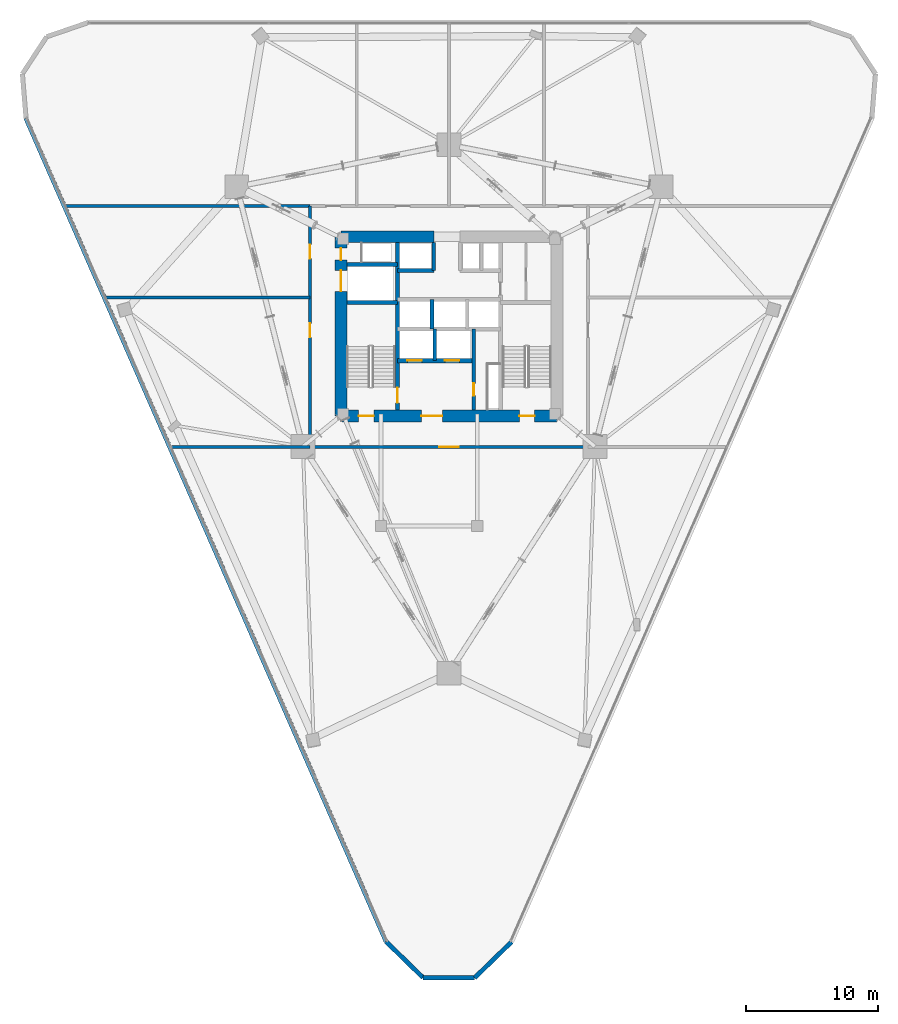
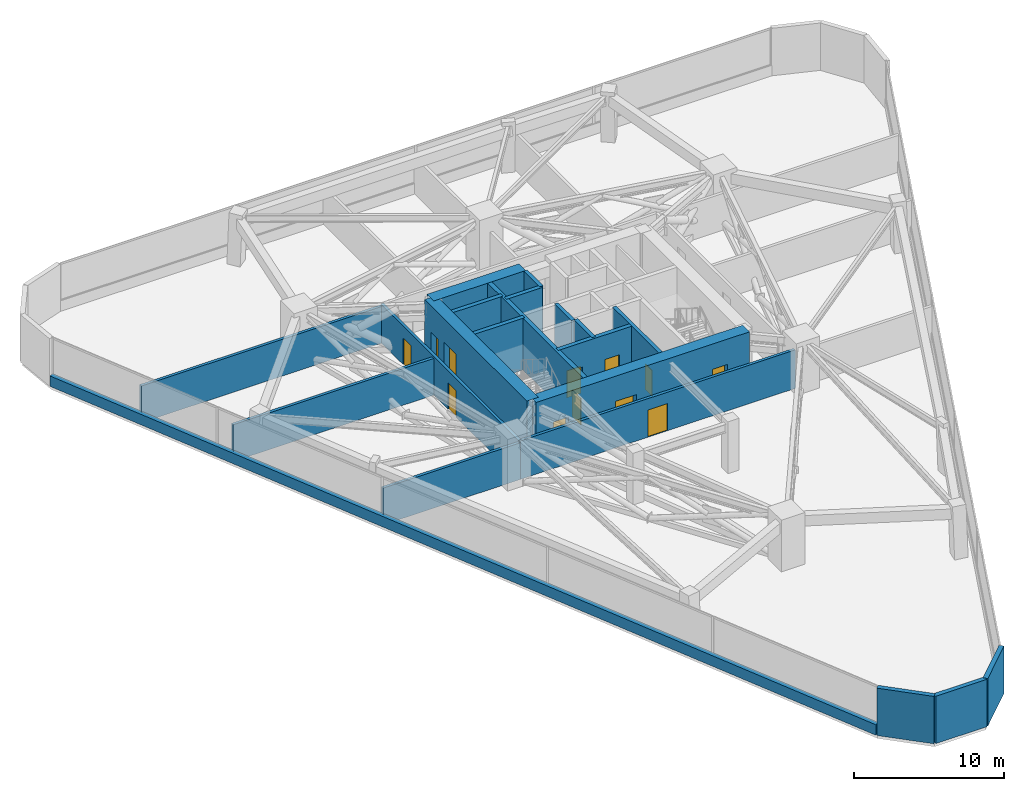
# One storey, part 17 of 20: 21 walls, 12 doors, 12 openings.
"""IFC4 building model written with IfcOpenShell, lengths in metres."""

from ifc_helpers import new_model, si_unit, direction, frame, frame_2d, origin, place, context, subcontext, project, spatial, rectangle, extrude, material, layer, layer_set, type_object, element, fill, save


model = new_model("IFC4")

# Units and contexts
model_context = context("Model", 3, precision=1e-05, world=origin(), true_north=direction((0.0, 1.0)))
body_context = subcontext(model_context, "Body", "Model", "MODEL_VIEW")
ifc_project = project(units=[si_unit("LENGTHUNIT", "METRE"), si_unit("AREAUNIT", "SQUARE_METRE"), si_unit("VOLUMEUNIT", "CUBIC_METRE"), si_unit("PLANEANGLEUNIT", "RADIAN"), si_unit("MASSUNIT", "GRAM", prefix="KILO")], contexts=[model_context])

# Site, building, storey
site_placement = place(None, origin())
site = spatial("IfcSite", under=ifc_project, at=site_placement, CompositionType="ELEMENT")
building_placement = place(site_placement, origin())
building = spatial("IfcBuilding", under=site, at=building_placement, Name="Talyreon Biosciences Tower", CompositionType="ELEMENT")
storey_placement = place(building_placement, frame((0.0, 0.0, 66.60009765625)))
storey = spatial("IfcBuildingStorey", under=building, at=storey_placement, Name="L17", CompositionType="ELEMENT", Elevation=66.60009765625)

# Walls
ifc_material_1 = material(Name="Concrete C50/60", Category="concrete")
ifc_layer_1 = layer(ifc_material_1, 0.280029296875)
ifc_layer_set_1 = layer_set([ifc_layer_1], Name="Concrete C50/60")
wall_type_1 = type_object("IfcWallType", Name="CoreShearWall_280", PredefinedType="SHEAR", material=ifc_layer_set_1)
wall_1_placement = place(storey_placement, frame((64.919921875, 65.39990234375, 0.0), z_axis=(0.0, 0.0, 1.0), x_axis=(0.0, 1.0, 0.0)))
element("IfcWall", 1, at=wall_1_placement, inside=storey, type_object=wall_type_1, Name="L17 Core Shaft Wall SWSHD1", PredefinedType="SHEAR", context=body_context, shape_type="SweptSolid", body=[
    extrude(rectangle(XDim=2.400146484375, YDim=0.280029296875, at=frame_2d((1.2001953125, 0.0))), origin(), (0.0, 0.0, 1.0), 4.199951171875),
])
wall_2_placement = place(storey_placement, frame((64.85009765625, 72.25, 0.0), z_axis=(0.0, 0.0, 1.0), x_axis=(0.0, 1.0, 0.0)))
element("IfcWall", 2, at=wall_2_placement, inside=storey, type_object=wall_type_1, Name="L17 Core Shaft Wall SWTHW", PredefinedType="SHEAR", context=body_context, shape_type="SweptSolid", body=[
    extrude(rectangle(XDim=2.10009765625, YDim=0.280029296875, at=frame_2d((1.050048828125, 0.0))), origin(), (0.0, 0.0, 1.0), 4.199951171875),
])

# Wall, opening, door
wall_3_placement = place(storey_placement, frame((67.8798828125, 61.64990234375, 0.0), z_axis=(0.0, 0.0, 1.0), x_axis=(0.0, 1.0, 0.0)))
wall_3 = element("IfcWall", 3, at=wall_3_placement, inside=storey, type_object=wall_type_1, Name="L17 Core Shaft Wall SWFFE", PredefinedType="SHEAR", context=body_context, shape_type="SweptSolid", body=[
    extrude(rectangle(XDim=6.150146484375, YDim=0.280029296875, at=frame_2d((3.0751953125, 0.0))), origin(), (0.0, 0.0, 1.0), 4.199951171875),
])
opening_1_placement = place(wall_3_placement, frame((1.10009765625, 0.0, 0.0)))
opening_1 = element("IfcOpeningElement", 4, at=opening_1_placement, cuts=wall_3, Name="Opening DR-L17-RSE", PredefinedType="OPENING", context=body_context, shape_type="SweptSolid", body=[
    extrude(rectangle(XDim=0.919921875, YDim=2.050048828125, at=frame_2d((0.4599609375, 1.02490234375))), frame((0.0, 0.14990234375, 0.0), z_axis=(0.0, -1.0, 0.0), x_axis=(1.0, 0.0, 0.0)), (0.0, 0.0, 1.0), 0.300048828125),
])
ifc_material_2 = material(Name="Painted steel fire-rated riser door", Category="steel")
door_type_1 = type_object("IfcDoorType", Name="RiserPlantAccessDoor_920x2050", OperationType="NOTDEFINED", PredefinedType="DOOR", material=ifc_material_2)
door_1_placement = place(opening_1_placement, origin())
door_1 = element("IfcDoor", 5, at=door_1_placement, inside=storey, type_object=door_type_1, Name="L17 Core Door DR-L17-RSE", OperationType="SINGLE_SWING_RIGHT", OverallHeight=2.050048828125, OverallWidth=0.919921875, PredefinedType="DOOR", context=body_context, shape_type="SweptSolid", body=[
    extrude(rectangle(XDim=0.919921875, YDim=2.050048828125, at=frame_2d((0.4599609375, 1.02490234375))), frame((0.0, 0.02490234375, 0.0), z_axis=(0.0, -1.0, 0.0), x_axis=(1.0, 0.0, 0.0)), (0.0, 0.0, 1.0), 0.050048828125),
])
fill(opening_1, door_1)

# Wall
wall_4_placement = place(storey_placement, frame((64.719970703125, 67.800048828125, 0.0), z_axis=(0.0, 0.0, 1.0), x_axis=(0.0, 1.0, 0.0)))
element("IfcWall", 6, at=wall_4_placement, inside=storey, type_object=wall_type_1, Name="L17 Core Shaft Wall SWPLD", PredefinedType="SHEAR", context=body_context, shape_type="SweptSolid", body=[
    extrude(rectangle(XDim=2.25, YDim=0.280029296875, at=frame_2d((1.125, 0.0))), origin(), (0.0, 0.0, 1.0), 4.199951171875),
])

# Wall, opening, door
ifc_layer_2 = layer(ifc_material_1, 0.320068359375)
ifc_layer_set_2 = layer_set([ifc_layer_2], Name="Concrete C50/60")
wall_type_2 = type_object("IfcWallType", Name="CoreShearWall_320", PredefinedType="SHEAR", material=ifc_layer_set_2)
wall_5_placement = place(storey_placement, frame((62.090087890625, 61.64990234375, 0.0), z_axis=(0.0, 0.0, 1.0), x_axis=(0.0, 1.0, 0.0)))
wall_5 = element("IfcWall", 7, at=wall_5_placement, inside=storey, type_object=wall_type_2, Name="L17 Core Shaft Wall SW1E", PredefinedType="SHEAR", context=body_context, shape_type="SweptSolid", body=[
    extrude(rectangle(XDim=12.7001953125, YDim=0.320068359375, at=frame_2d((6.35009765625, 0.0))), origin(), (0.0, 0.0, 1.0), 4.199951171875),
])
opening_2_placement = place(wall_5_placement, frame((0.550048828125, 0.0, 0.0)))
opening_2 = element("IfcOpeningElement", 8, at=opening_2_placement, cuts=wall_5, Name="Opening DR-L17-FF-ST1", PredefinedType="OPENING", context=body_context, shape_type="SweptSolid", body=[
    extrude(rectangle(XDim=1.14990234375, YDim=2.14990234375, at=frame_2d((0.574951171875, 1.074951171875))), frame((0.0, 0.169921875, 0.0), z_axis=(0.0, -1.0, 0.0), x_axis=(1.0, 0.0, 0.0)), (0.0, 0.0, 1.0), 0.340087890625),
])
ifc_material_3 = material(Name="Painted steel fire door", Category="steel")
door_type_2 = type_object("IfcDoorType", Name="StairShaftFireDoor_1150x2150", OperationType="NOTDEFINED", PredefinedType="DOOR", material=ifc_material_3)
door_2_placement = place(opening_2_placement, origin())
door_2 = element("IfcDoor", 9, at=door_2_placement, inside=storey, type_object=door_type_2, Name="L17 Core Door DR-L17-FF-ST1", OperationType="SINGLE_SWING_LEFT", OverallHeight=2.14990234375, OverallWidth=1.14990234375, PredefinedType="DOOR", context=body_context, shape_type="SweptSolid", body=[
    extrude(rectangle(XDim=1.14990234375, YDim=2.14990234375, at=frame_2d((0.574951171875, 1.074951171875))), frame((0.0, 0.02490234375, 0.0), z_axis=(0.0, -1.0, 0.0), x_axis=(1.0, 0.0, 0.0)), (0.0, 0.0, 1.0), 0.050048828125),
])
fill(opening_2, door_2)

# Walls
for number, where, z_axis, x_axis, name in (
    (10, (58.25, 69.81005859375, 0.0), (0.0, 0.0, 1.0), (1.0, 0.0, 0.0), "L17 Core Shaft Wall SW1N"),
    (11, (58.25, 72.699951171875, 0.0), (0.0, 0.0, 1.0), (1.0, 0.0, 0.0), "L17 Core Shaft Wall SWGLN"),
):
    element("IfcWall", number, at=place(storey_placement, frame(where, z_axis=z_axis, x_axis=x_axis)), inside=storey, type_object=wall_type_2, Name=name, PredefinedType="SHEAR", context=body_context, shape_type="SweptSolid", body=[
        extrude(rectangle(XDim=3.840087890625, YDim=0.320068359375, at=frame_2d((1.919921875, 0.0))), origin(), (0.0, 0.0, 1.0), 4.199951171875),
    ])
wall_6_placement = place(storey_placement, frame((62.090087890625, 72.25, 0.0), z_axis=(0.0, 0.0, 1.0), x_axis=(1.0, 0.0, 0.0)))
element("IfcWall", 12, at=wall_6_placement, inside=storey, type_object=wall_type_2, Name="L17 Core Shaft Wall SWNPW", PredefinedType="SHEAR", context=body_context, shape_type="SweptSolid", body=[
    extrude(rectangle(XDim=2.760009765625, YDim=0.320068359375, at=frame_2d((1.3798828125, 0.0))), origin(), (0.0, 0.0, 1.0), 4.199951171875),
])

# Wall, openings, doors
wall_7_placement = place(storey_placement, frame((62.090087890625, 65.39990234375, 0.0), z_axis=(0.0, 0.0, 1.0), x_axis=(1.0, 0.0, 0.0)))
wall_7 = element("IfcWall", 13, at=wall_7_placement, inside=storey, type_object=wall_type_2, Name="L17 Core Shaft Wall SWFFN", PredefinedType="SHEAR", context=body_context, shape_type="SweptSolid", body=[
    extrude(rectangle(XDim=5.789794921875, YDim=0.320068359375, at=frame_2d((2.89501953125, 0.0))), origin(), (0.0, 0.0, 1.0), 4.199951171875),
])
opening_3_placement = place(wall_7_placement, frame((0.75, 0.0, 0.0)))
opening_3 = element("IfcOpeningElement", 14, at=opening_3_placement, cuts=wall_7, Name="Opening LD-L17-FL1", PredefinedType="OPENING", context=body_context, shape_type="SweptSolid", body=[
    extrude(rectangle(XDim=1.10009765625, YDim=2.199951171875, at=frame_2d((0.550048828125, 1.10009765625))), frame((0.0, 0.169921875, 0.0), z_axis=(0.0, -1.0, 0.0), x_axis=(1.0, 0.0, 0.0)), (0.0, 0.0, 1.0), 0.340087890625),
])
opening_4_placement = place(wall_7_placement, frame((3.60009765625, 0.0, 0.0)))
opening_4 = element("IfcOpeningElement", 15, at=opening_4_placement, cuts=wall_7, Name="Opening LD-L17-FL2", PredefinedType="OPENING", context=body_context, shape_type="SweptSolid", body=[
    extrude(rectangle(XDim=1.10009765625, YDim=2.199951171875, at=frame_2d((0.550048828125, 1.10009765625))), frame((0.0, 0.169921875, 0.0), z_axis=(0.0, -1.0, 0.0), x_axis=(1.0, 0.0, 0.0)), (0.0, 0.0, 1.0), 0.340087890625),
])
ifc_material_4 = material(Name="Brushed stainless-steel lift landing door", Category="steel")
door_type_3 = type_object("IfcDoorType", Name="LiftSlidingLandingDoor_1100x2200", OperationType="SLIDING_TO_LEFT", PredefinedType="DOOR", material=ifc_material_4)
door_3_placement = place(opening_3_placement, origin())
door_3 = element("IfcDoor", 16, at=door_3_placement, inside=storey, type_object=door_type_3, Name="L17 Core Door LD-L17-FL1", OperationType="SLIDING_TO_LEFT", OverallHeight=2.199951171875, OverallWidth=1.10009765625, PredefinedType="DOOR", context=body_context, shape_type="SweptSolid", body=[
    extrude(rectangle(XDim=1.10009765625, YDim=2.199951171875, at=frame_2d((0.550048828125, 1.10009765625))), frame((0.0, 0.02490234375, 0.0), z_axis=(0.0, -1.0, 0.0), x_axis=(1.0, 0.0, 0.0)), (0.0, 0.0, 1.0), 0.050048828125),
])
fill(opening_3, door_3)
door_4_placement = place(opening_4_placement, origin())
door_4 = element("IfcDoor", 17, at=door_4_placement, inside=storey, type_object=door_type_3, Name="L17 Core Door LD-L17-FL2", OperationType="SLIDING_TO_LEFT", OverallHeight=2.199951171875, OverallWidth=1.10009765625, PredefinedType="DOOR", context=body_context, shape_type="SweptSolid", body=[
    extrude(rectangle(XDim=1.10009765625, YDim=2.199951171875, at=frame_2d((0.550048828125, 1.10009765625))), frame((0.0, 0.02490234375, 0.0), z_axis=(0.0, -1.0, 0.0), x_axis=(1.0, 0.0, 0.0)), (0.0, 0.0, 1.0), 0.050048828125),
])
fill(opening_4, door_4)

ifc_material_5 = material(Name="Concrete C60/75", Category="concrete")
ifc_layer_3 = layer(ifc_material_5, 0.89990234375)
ifc_layer_set_3 = layer_set([ifc_layer_3], Name="Concrete C60/75")
wall_type_3 = type_object("IfcWallType", Name="CoreShearWall_900", PredefinedType="SHEAR", material=ifc_layer_set_3)
wall_8_placement = place(storey_placement, frame((57.800048828125, 61.199951171875, 0.0), z_axis=(0.0, 0.0, 1.0), x_axis=(1.0, 0.0, 0.0)))
wall_8 = element("IfcWall", 18, at=wall_8_placement, inside=storey, type_object=wall_type_3, Name="L17 Core Shear Wall S", PredefinedType="SHEAR", context=body_context, shape_type="SweptSolid", body=[
    extrude(rectangle(XDim=16.39990234375, YDim=0.89990234375, at=frame_2d((8.199951171875, 0.0))), origin(), (0.0, 0.0, 1.0), 4.199951171875),
])
opening_5_placement = place(wall_8_placement, frame((1.35009765625, 0.0, 0.0)))
opening_5 = element("IfcOpeningElement", 19, at=opening_5_placement, cuts=wall_8, Name="Opening DR-L17-ST1", PredefinedType="OPENING", context=body_context, shape_type="SweptSolid", body=[
    extrude(rectangle(XDim=1.14990234375, YDim=2.14990234375, at=frame_2d((0.574951171875, 1.074951171875))), frame((0.0, 0.4599609375, 0.0), z_axis=(0.0, -1.0, 0.0), x_axis=(1.0, 0.0, 0.0)), (0.0, 0.0, 1.0), 0.919921875),
])
opening_6_placement = place(wall_8_placement, frame((6.10009765625, 0.0, 0.0)))
opening_6 = element("IfcOpeningElement", 20, at=opening_6_placement, cuts=wall_8, Name="Opening DR-L17-FFL", PredefinedType="OPENING", context=body_context, shape_type="SweptSolid", body=[
    extrude(rectangle(XDim=1.60009765625, YDim=2.14990234375, at=frame_2d((0.800048828125, 1.074951171875))), frame((0.0, 0.4599609375, 0.0), z_axis=(0.0, -1.0, 0.0), x_axis=(1.0, 0.0, 0.0)), (0.0, 0.0, 1.0), 0.919921875),
])
opening_7_placement = place(wall_8_placement, frame((13.550048828125, 0.0, 0.0)))
opening_7 = element("IfcOpeningElement", 21, at=opening_7_placement, cuts=wall_8, Name="Opening DR-L17-ST2", PredefinedType="OPENING", context=body_context, shape_type="SweptSolid", body=[
    extrude(rectangle(XDim=1.14990234375, YDim=2.14990234375, at=frame_2d((0.574951171875, 1.074951171875))), frame((0.0, 0.4599609375, 0.0), z_axis=(0.0, -1.0, 0.0), x_axis=(1.0, 0.0, 0.0)), (0.0, 0.0, 1.0), 0.919921875),
])
ifc_material_6 = material(Name="Painted steel smoke-seal fire door", Category="steel")
door_type_4 = type_object("IfcDoorType", Name="FirefightingLobbyDoubleDoor_1600x2150", OperationType="DOUBLE_DOOR_SINGLE_SWING", PredefinedType="DOOR", material=ifc_material_6)
door_5_placement = place(opening_6_placement, origin())
door_5 = element("IfcDoor", 22, at=door_5_placement, inside=storey, type_object=door_type_4, Name="L17 Core Door DR-L17-FFL", OperationType="DOUBLE_DOOR_SINGLE_SWING", OverallHeight=2.14990234375, OverallWidth=1.60009765625, PredefinedType="DOOR", context=body_context, shape_type="SweptSolid", body=[
    extrude(rectangle(XDim=1.60009765625, YDim=2.14990234375, at=frame_2d((0.800048828125, 1.074951171875))), frame((0.0, 0.02490234375, 0.0), z_axis=(0.0, -1.0, 0.0), x_axis=(1.0, 0.0, 0.0)), (0.0, 0.0, 1.0), 0.050048828125),
])
fill(opening_6, door_5)
door_6_placement = place(opening_5_placement, origin())
door_6 = element("IfcDoor", 23, at=door_6_placement, inside=storey, type_object=door_type_2, Name="L17 Core Door DR-L17-ST1", OperationType="SINGLE_SWING_LEFT", OverallHeight=2.14990234375, OverallWidth=1.14990234375, PredefinedType="DOOR", context=body_context, shape_type="SweptSolid", body=[
    extrude(rectangle(XDim=1.14990234375, YDim=2.14990234375, at=frame_2d((0.574951171875, 1.074951171875))), frame((0.0, 0.02490234375, 0.0), z_axis=(0.0, -1.0, 0.0), x_axis=(1.0, 0.0, 0.0)), (0.0, 0.0, 1.0), 0.050048828125),
])
fill(opening_5, door_6)
door_7_placement = place(opening_7_placement, origin())
door_7 = element("IfcDoor", 24, at=door_7_placement, inside=storey, type_object=door_type_2, Name="L17 Core Door DR-L17-ST2", OperationType="SINGLE_SWING_RIGHT", OverallHeight=2.14990234375, OverallWidth=1.14990234375, PredefinedType="DOOR", context=body_context, shape_type="SweptSolid", body=[
    extrude(rectangle(XDim=1.14990234375, YDim=2.14990234375, at=frame_2d((0.574951171875, 1.074951171875))), frame((0.0, 0.02490234375, 0.0), z_axis=(0.0, -1.0, 0.0), x_axis=(1.0, 0.0, 0.0)), (0.0, 0.0, 1.0), 0.050048828125),
])
fill(opening_7, door_7)

# Wall
wall_9_placement = place(storey_placement, frame((64.85009765625, 74.800048828125, 0.0), z_axis=(0.0, 0.0, 1.0), x_axis=(-1.0, 0.0, 0.0)))
element("IfcWall", 25, at=wall_9_placement, inside=storey, type_object=wall_type_3, Name="L17 Core Shear Wall NW", PredefinedType="SHEAR", context=body_context, shape_type="SweptSolid", body=[
    extrude(rectangle(XDim=7.050048828125, YDim=0.89990234375, at=frame_2d((3.52490234375, 0.0))), origin(), (0.0, 0.0, 1.0), 4.199951171875),
])

# Wall, openings, doors
wall_10_placement = place(storey_placement, frame((57.800048828125, 74.800048828125, 0.0), z_axis=(0.0, 0.0, 1.0), x_axis=(0.0, -1.0, 0.0)))
wall_10 = element("IfcWall", 26, at=wall_10_placement, inside=storey, type_object=wall_type_3, Name="L17 Core Shear Wall W", PredefinedType="SHEAR", context=body_context, shape_type="SweptSolid", body=[
    extrude(rectangle(XDim=13.60009765625, YDim=0.89990234375, at=frame_2d((6.800048828125, 0.0))), origin(), (0.0, 0.0, 1.0), 4.199951171875),
])
opening_8_placement = place(wall_10_placement, frame((0.85009765625, 0.0, 0.0)))
opening_8 = element("IfcOpeningElement", 27, at=opening_8_placement, cuts=wall_10, Name="Opening DR-L17-RSW", PredefinedType="OPENING", context=body_context, shape_type="SweptSolid", body=[
    extrude(rectangle(XDim=0.919921875, YDim=2.050048828125, at=frame_2d((0.4599609375, 1.02490234375))), frame((0.0, 0.4599609375, 0.0), z_axis=(0.0, -1.0, 0.0), x_axis=(1.0, 0.0, 0.0)), (0.0, 0.0, 1.0), 0.919921875),
])
opening_9_placement = place(wall_10_placement, frame((2.550048828125, 0.0, 0.0)))
opening_9 = element("IfcOpeningElement", 28, at=opening_9_placement, cuts=wall_10, Name="Opening LD-L17-GL1", PredefinedType="OPENING", context=body_context, shape_type="SweptSolid", body=[
    extrude(rectangle(XDim=1.60009765625, YDim=2.300048828125, at=frame_2d((0.800048828125, 1.14990234375))), frame((0.0, 0.4599609375, 0.0), z_axis=(0.0, -1.0, 0.0), x_axis=(1.0, 0.0, 0.0)), (0.0, 0.0, 1.0), 0.919921875),
])
ifc_material_7 = material(Name="Heavy-duty stainless-steel goods lift door", Category="steel")
door_type_5 = type_object("IfcDoorType", Name="GoodsLiftSlidingDoor_1600x2300", OperationType="DOUBLE_DOOR_SLIDING", PredefinedType="DOOR", material=ifc_material_7)
door_8_placement = place(opening_9_placement, origin())
door_8 = element("IfcDoor", 29, at=door_8_placement, inside=storey, type_object=door_type_5, Name="L17 Core Door LD-L17-GL1", OperationType="DOUBLE_DOOR_SLIDING", OverallHeight=2.300048828125, OverallWidth=1.60009765625, PredefinedType="DOOR", context=body_context, shape_type="SweptSolid", body=[
    extrude(rectangle(XDim=1.60009765625, YDim=2.300048828125, at=frame_2d((0.800048828125, 1.14990234375))), frame((0.0, 0.02490234375, 0.0), z_axis=(0.0, -1.0, 0.0), x_axis=(1.0, 0.0, 0.0)), (0.0, 0.0, 1.0), 0.050048828125),
])
fill(opening_9, door_8)
door_9_placement = place(opening_8_placement, origin())
door_9 = element("IfcDoor", 30, at=door_9_placement, inside=storey, type_object=door_type_1, Name="L17 Core Door DR-L17-RSW", OperationType="SINGLE_SWING_LEFT", OverallHeight=2.050048828125, OverallWidth=0.919921875, PredefinedType="DOOR", context=body_context, shape_type="SweptSolid", body=[
    extrude(rectangle(XDim=0.919921875, YDim=2.050048828125, at=frame_2d((0.4599609375, 1.02490234375))), frame((0.0, 0.02490234375, 0.0), z_axis=(0.0, -1.0, 0.0), x_axis=(1.0, 0.0, 0.0)), (0.0, 0.0, 1.0), 0.050048828125),
])
fill(opening_8, door_9)

# Walls
ifc_material_8 = material(Name="Gypsum fireboard acoustic stud", Category="gypsum")
ifc_layer_4 = layer(ifc_material_8, 0.219970703125)
ifc_layer_set_4 = layer_set([ifc_layer_4], Name="Gypsum fireboard acoustic stud")
wall_type_4 = type_object("IfcWallType", Name="CorridorRatedPartition_220", PredefinedType="PARTITIONING", material=ifc_layer_set_4)
wall_11_placement = place(storey_placement, frame((36.889404296875, 77.14990234375, 0.0), z_axis=(0.0, 0.0, 1.0), x_axis=(1.0, 0.0, 0.0)))
element("IfcWall", 31, at=wall_11_placement, inside=storey, type_object=wall_type_4, Name="L17 Interior Wall IW-L17-NDIV-NW", PredefinedType="PARTITIONING", context=body_context, shape_type="SweptSolid", body=[
    extrude(rectangle(XDim=18.560546875, YDim=0.219970703125, at=frame_2d((9.2802734375, 0.0))), origin(), (0.0, 0.0, 1.0), 2.97998046875),
])
wall_12_placement = place(storey_placement, frame((39.93017578125, 70.199951171875, 0.0), z_axis=(0.0, 0.0, 1.0), x_axis=(1.0, 0.0, 0.0)))
element("IfcWall", 32, at=wall_12_placement, inside=storey, type_object=wall_type_4, Name="L17 Interior Wall IW-L17-WD1", PredefinedType="PARTITIONING", context=body_context, shape_type="SweptSolid", body=[
    extrude(rectangle(XDim=15.519775390625, YDim=0.219970703125, at=frame_2d((7.759765625, 0.0))), origin(), (0.0, 0.0, 1.0), 2.97998046875),
])
wall_13_placement = place(storey_placement, frame((44.89599609375, 58.85009765625, 0.0), z_axis=(0.0, 0.0, 1.0), x_axis=(1.0, 0.0, 0.0)))
element("IfcWall", 33, at=wall_13_placement, inside=storey, type_object=wall_type_4, Name="L17 Interior Wall IW-L17-PDIV-SW", PredefinedType="PARTITIONING", context=body_context, shape_type="SweptSolid", body=[
    extrude(rectangle(XDim=10.553955078125, YDim=0.219970703125, at=frame_2d((5.27685546875, 0.0))), origin(), (0.0, 0.0, 1.0), 2.97998046875),
])

# Wall, opening, door
wall_14_placement = place(storey_placement, frame((55.449951171875, 58.85009765625, 0.0), z_axis=(0.0, 0.0, 1.0), x_axis=(1.0, 0.0, 0.0)))
wall_14 = element("IfcWall", 34, at=wall_14_placement, inside=storey, type_object=wall_type_4, Name="L17 Interior Wall IW-L17-PC-S", PredefinedType="PARTITIONING", context=body_context, shape_type="SweptSolid", body=[
    extrude(rectangle(XDim=21.10009765625, YDim=0.219970703125, at=frame_2d((10.550048828125, 0.0))), origin(), (0.0, 0.0, 1.0), 3.1298828125),
])
opening_10_placement = place(wall_14_placement, frame((9.800048828125, 0.0, 0.0)))
opening_10 = element("IfcOpeningElement", 35, at=opening_10_placement, cuts=wall_14, Name="Opening DR-L17-PL-S", PredefinedType="OPENING", context=body_context, shape_type="SweptSolid", body=[
    extrude(rectangle(XDim=1.5, YDim=2.199951171875, at=frame_2d((0.75, 1.10009765625))), frame((0.0, 0.119873046875, 0.0), z_axis=(0.0, -1.0, 0.0), x_axis=(1.0, 0.0, 0.0)), (0.0, 0.0, 1.0), 0.239990234375),
])
ifc_material_9 = material(Name="Vision-panel steel laboratory fire door", Category="steel")
door_type_6 = type_object("IfcDoorType", Name="WetLabDoubleLeafDoor_1500x2200", OperationType="DOUBLE_DOOR_SINGLE_SWING", PredefinedType="DOOR", material=ifc_material_9)
door_10_placement = place(opening_10_placement, origin())
door_10 = element("IfcDoor", 36, at=door_10_placement, inside=storey, type_object=door_type_6, Name="L17 Interior Door DR-L17-PL-S", OperationType="DOUBLE_DOOR_SINGLE_SWING", OverallHeight=2.199951171875, OverallWidth=1.5, PredefinedType="DOOR", context=body_context, shape_type="SweptSolid", body=[
    extrude(rectangle(XDim=1.5, YDim=2.199951171875, at=frame_2d((0.75, 1.10009765625))), frame((0.0, 0.02490234375, 0.0), z_axis=(0.0, -1.0, 0.0), x_axis=(1.0, 0.0, 0.0)), (0.0, 0.0, 1.0), 0.050048828125),
])
fill(opening_10, door_10)

# Wall, openings, doors
wall_15_placement = place(storey_placement, frame((55.449951171875, 58.85009765625, 0.0), z_axis=(0.0, 0.0, 1.0), x_axis=(0.0, 1.0, 0.0)))
wall_15 = element("IfcWall", 37, at=wall_15_placement, inside=storey, type_object=wall_type_4, Name="L17 Interior Wall IW-L17-PC-W", PredefinedType="PARTITIONING", context=body_context, shape_type="SweptSolid", body=[
    extrude(rectangle(XDim=18.2998046875, YDim=0.219970703125, at=frame_2d((9.14990234375, 0.0))), origin(), (0.0, 0.0, 1.0), 3.1298828125),
])
opening_11_placement = place(wall_15_placement, frame((8.321044921875, 0.0, 0.0)))
opening_11 = element("IfcOpeningElement", 38, at=opening_11_placement, cuts=wall_15, Name="Opening DR-L17-PL-WB", PredefinedType="OPENING", context=body_context, shape_type="SweptSolid", body=[
    extrude(rectangle(XDim=1.050048828125, YDim=2.14990234375, at=frame_2d((0.52490234375, 1.074951171875))), frame((0.0, 0.119873046875, 0.0), z_axis=(0.0, -1.0, 0.0), x_axis=(1.0, 0.0, 0.0)), (0.0, 0.0, 1.0), 0.239990234375),
])
opening_12_placement = place(wall_15_placement, frame((14.300048828125, 0.0, 0.0)))
opening_12 = element("IfcOpeningElement", 39, at=opening_12_placement, cuts=wall_15, Name="Opening DR-L17-PL-WA", PredefinedType="OPENING", context=body_context, shape_type="SweptSolid", body=[
    extrude(rectangle(XDim=1.050048828125, YDim=2.14990234375, at=frame_2d((0.52490234375, 1.074951171875))), frame((0.0, 0.119873046875, 0.0), z_axis=(0.0, -1.0, 0.0), x_axis=(1.0, 0.0, 0.0)), (0.0, 0.0, 1.0), 0.239990234375),
])
ifc_material_10 = material(Name="Acoustic timber-core laboratory door", Category="wood")
door_type_7 = type_object("IfcDoorType", Name="DryLabSingleDoor_1050x2150", OperationType="NOTDEFINED", PredefinedType="DOOR", material=ifc_material_10)
door_11_placement = place(opening_11_placement, origin())
door_11 = element("IfcDoor", 40, at=door_11_placement, inside=storey, type_object=door_type_7, Name="L17 Interior Door DR-L17-PL-WB", OperationType="SINGLE_SWING_LEFT", OverallHeight=2.14990234375, OverallWidth=1.050048828125, PredefinedType="DOOR", context=body_context, shape_type="SweptSolid", body=[
    extrude(rectangle(XDim=1.050048828125, YDim=2.14990234375, at=frame_2d((0.52490234375, 1.074951171875))), frame((0.0, 0.02490234375, 0.0), z_axis=(0.0, -1.0, 0.0), x_axis=(1.0, 0.0, 0.0)), (0.0, 0.0, 1.0), 0.050048828125),
])
fill(opening_11, door_11)
door_12_placement = place(opening_12_placement, origin())
door_12 = element("IfcDoor", 41, at=door_12_placement, inside=storey, type_object=door_type_7, Name="L17 Interior Door DR-L17-PL-WA", OperationType="SINGLE_SWING_LEFT", OverallHeight=2.14990234375, OverallWidth=1.050048828125, PredefinedType="DOOR", context=body_context, shape_type="SweptSolid", body=[
    extrude(rectangle(XDim=1.050048828125, YDim=2.14990234375, at=frame_2d((0.52490234375, 1.074951171875))), frame((0.0, 0.02490234375, 0.0), z_axis=(0.0, -1.0, 0.0), x_axis=(1.0, 0.0, 0.0)), (0.0, 0.0, 1.0), 0.050048828125),
])
fill(opening_12, door_12)

# Walls
ifc_material_11 = material(Name="Precast concrete C45/55", Category="concrete")
ifc_layer_5 = layer(ifc_material_11, 0.340087890625)
ifc_layer_set_5 = layer_set([ifc_layer_5], Name="Precast concrete C45/55")
wall_type_5 = type_object("IfcWallType", Name="PrecastConcreteSpandrelWall_340", PredefinedType="STANDARD", material=ifc_layer_set_5)
wall_16_placement = place(storey_placement, frame((61.236083984375, 21.290771484375, 0.0), z_axis=(0.0, 0.0, 1.0), x_axis=(-0.400832536075, 0.916151340131, 0.0)))
element("IfcWall", 42, at=wall_16_placement, inside=storey, type_object=wall_type_5, Name="L17 Expressed Concrete Sill Wall 00", PredefinedType="STANDARD", context=body_context, shape_type="SweptSolid", body=[
    extrude(rectangle(XDim=68.233154296875, YDim=0.340087890625, at=frame_2d((34.11669921875, 0.0))), origin(), (0.0, 0.0, 1.0), 0.849853515625),
])
wall_17_placement = place(storey_placement, frame((70.763916015625, 21.290771484375, 0.0), z_axis=(0.0, 0.0, 1.0), x_axis=(-0.716333433886, -0.69775813252, 0.0)))
element("IfcWall", 43, at=wall_17_placement, inside=storey, type_object=wall_type_5, Name="L17 Rounded-Corner Concrete Pier 09", PredefinedType="STANDARD", context=body_context, shape_type="SweptSolid", body=[
    extrude(rectangle(XDim=3.916748046875, YDim=0.340087890625, at=frame_2d((1.95849609375, 0.0))), origin(), (0.0, 0.0, 1.0), 3.849853515625),
])
wall_18_placement = place(storey_placement, frame((67.958251953125, 18.557861328125, 0.0), z_axis=(0.0, 0.0, 1.0), x_axis=(-1.0, 0.0, 0.0)))
element("IfcWall", 44, at=wall_18_placement, inside=storey, type_object=wall_type_5, Name="L17 Rounded-Corner Concrete Pier 10", PredefinedType="STANDARD", context=body_context, shape_type="SweptSolid", body=[
    extrude(rectangle(XDim=3.91650390625, YDim=0.340087890625, at=frame_2d((1.958251953125, 0.0))), origin(), (0.0, 0.0, 1.0), 3.849853515625),
])
wall_19_placement = place(storey_placement, frame((64.041748046875, 18.557861328125, 0.0), z_axis=(0.0, 0.0, 1.0), x_axis=(-0.716333433886, 0.69775813252, 0.0)))
element("IfcWall", 45, at=wall_19_placement, inside=storey, type_object=wall_type_5, Name="L17 Rounded-Corner Concrete Pier 11", PredefinedType="STANDARD", context=body_context, shape_type="SweptSolid", body=[
    extrude(rectangle(XDim=3.916748046875, YDim=0.340087890625, at=frame_2d((1.95849609375, 0.0))), origin(), (0.0, 0.0, 1.0), 3.849853515625),
])

save(model, "model.ifc")
